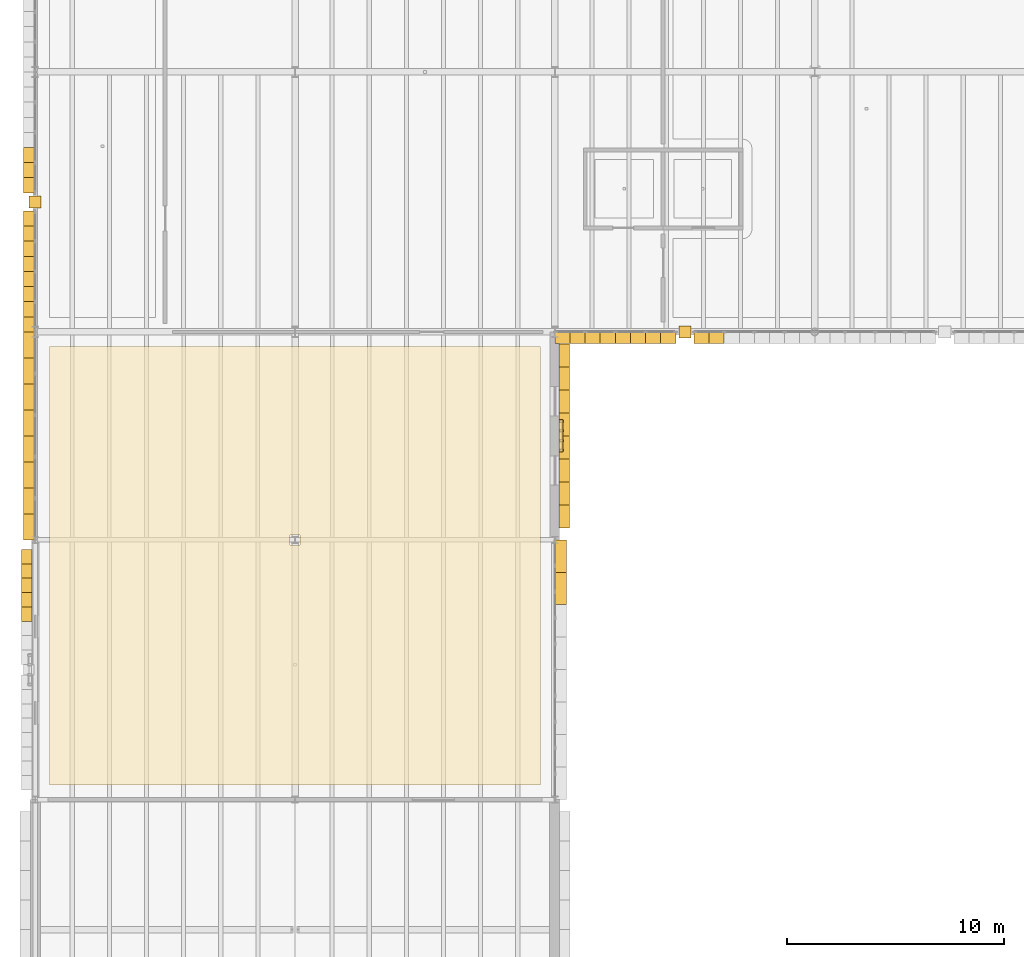
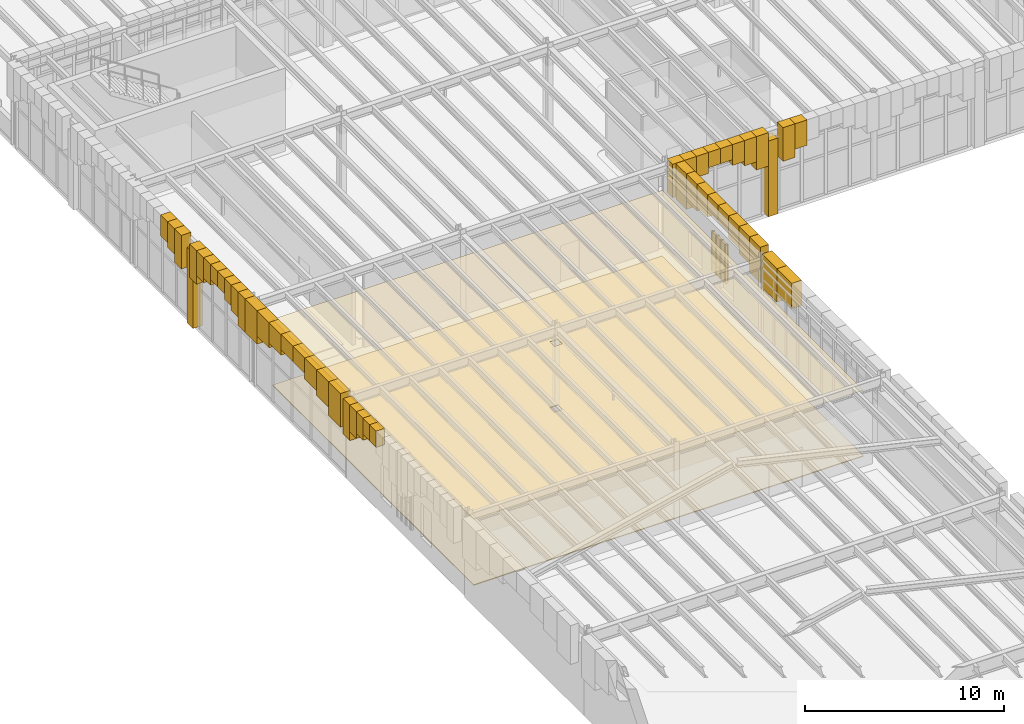
# One storey, part 77 of 100: 55 coverings, 1 shading device.
"""IFC4 building model written with IfcOpenShell, lengths in metres."""

from ifc_helpers import new_model, si_unit, direction, frame, origin, origin_2d, place, context, subcontext, project, spatial, polyline, rectangle, outline, extrude, material, layer, layer_set, type_object, element, save


model = new_model("IFC4")

# Units and contexts
model_context = context("Model", 3, precision=1e-05, world=origin(), true_north=direction((0.0, 1.0)))
body_context = subcontext(model_context, "Body", "Model", "MODEL_VIEW")
ifc_project = project(units=[si_unit("LENGTHUNIT", "METRE"), si_unit("AREAUNIT", "SQUARE_METRE"), si_unit("VOLUMEUNIT", "CUBIC_METRE"), si_unit("PLANEANGLEUNIT", "RADIAN"), si_unit("MASSUNIT", "GRAM", prefix="KILO")], contexts=[model_context])

# Site, building, storey
site_placement = place(None, origin())
site = spatial("IfcSite", under=ifc_project, at=site_placement, CompositionType="ELEMENT")
building_placement = place(site_placement, origin())
building = spatial("IfcBuilding", under=site, at=building_placement, Name="Zlatogorsky Bluff Art Gallery", CompositionType="ELEMENT")
storey_placement = place(building_placement, frame((0.0, 0.0, 5.39990234375)))
storey = spatial("IfcBuildingStorey", under=building, at=storey_placement, Name="L01", CompositionType="ELEMENT", Elevation=5.39990234375)

# Coverings
ifc_material_1 = material(Name="Perforated Gypsum Acoustic Board", Category="gypsum")
ifc_layer_1 = layer(ifc_material_1, 0.0400390625)
ifc_layer_set_1 = layer_set([ifc_layer_1], Name="Acoustic Gallery Ceiling CLG-01")
covering_type_1 = type_object("IfcCoveringType", Name="Acoustic Gallery Ceiling CLG-01", PredefinedType="CEILING", material=ifc_layer_set_1)
covering_1_placement = place(storey_placement, frame((0.0, 0.0, 4.050048828125)))
element("IfcCovering", 1, at=covering_1_placement, inside=storey, type_object=covering_type_1, Name="Learning Centre Seminar Rooms acoustic ceiling", PredefinedType="CEILING", context=body_context, shape_type="SweptSolid", body=[
    extrude(outline(polyline([(23.330078125, 83.330078125), (23.330078125, 63.070068359375), (0.669921875, 63.070068359375), (0.669921875, 83.330078125), (23.330078125, 83.330078125)]), holes=[polyline([(11.77001953125, 74.6298828125), (11.77001953125, 74.169921875), (12.22998046875, 74.169921875), (12.22998046875, 74.6298828125), (11.77001953125, 74.6298828125)])]), origin(), (0.0, 0.0, 1.0), 0.0400390625),
])
ifc_material_2 = material(Name="Honed Red Agra-Tone Quartzitic Sandstone", Category="masonry")
ifc_layer_2 = layer(ifc_material_2, 0.1201171875)
ifc_layer_set_2 = layer_set([ifc_layer_2], Name="Carved Sandstone Cladding CLD-02")
covering_type_2 = type_object("IfcCoveringType", Name="Carved Sandstone Cladding CLD-02", PredefinedType="CLADDING", material=ifc_layer_set_2)
covering_2_placement = place(storey_placement, frame((0.0, 0.0, 4.365478515625)))
element("IfcCovering", 2, at=covering_2_placement, inside=storey, type_object=covering_type_2, Name="Pointed Mughal arch voussoir spandrel WARCH-L01-W-00-06-B.4", PredefinedType="CLADDING", context=body_context, shape_type="SweptSolid", body=[
    extrude(outline(polyline([(-0.639892578125, 70.637451171875), (-0.639892578125, 71.300048828125), (-0.14990234375, 71.300048828125), (-0.14990234375, 70.637451171875), (-0.639892578125, 70.637451171875)])), origin(), (0.0, 0.0, 1.0), 0.99462890625),
])
covering_3_placement = place(storey_placement, frame((0.0, 0.0, 4.365478515625)))
element("IfcCovering", 3, at=covering_3_placement, inside=storey, type_object=covering_type_2, Name="Pointed Mughal arch voussoir spandrel WARCH-L01-W-00-06-B.5", PredefinedType="CLADDING", context=body_context, shape_type="SweptSolid", body=[
    extrude(outline(polyline([(-0.639892578125, 71.300048828125), (-0.639892578125, 71.96240234375), (-0.14990234375, 71.96240234375), (-0.14990234375, 71.300048828125), (-0.639892578125, 71.300048828125)])), origin(), (0.0, 0.0, 1.0), 0.99462890625),
])
covering_4_placement = place(storey_placement, frame((0.0, 0.0, 3.996826171875)))
element("IfcCovering", 4, at=covering_4_placement, inside=storey, type_object=covering_type_2, Name="Pointed Mughal arch voussoir spandrel WARCH-L01-W-00-06-B.6", PredefinedType="CLADDING", context=body_context, shape_type="SweptSolid", body=[
    extrude(outline(polyline([(-0.639892578125, 71.96240234375), (-0.639892578125, 72.625), (-0.14990234375, 72.625), (-0.14990234375, 71.96240234375), (-0.639892578125, 71.96240234375)])), origin(), (0.0, 0.0, 1.0), 1.36328125),
])
covering_5_placement = place(storey_placement, frame((0.0, 0.0, 3.703857421875)))
element("IfcCovering", 5, at=covering_5_placement, inside=storey, type_object=covering_type_2, Name="Pointed Mughal arch voussoir spandrel WARCH-L01-W-00-06-B.7", PredefinedType="CLADDING", context=body_context, shape_type="SweptSolid", body=[
    extrude(outline(polyline([(-0.639892578125, 72.625), (-0.639892578125, 73.28759765625), (-0.14990234375, 73.28759765625), (-0.14990234375, 72.625), (-0.639892578125, 72.625)])), origin(), (0.0, 0.0, 1.0), 1.65625),
])
covering_6_placement = place(storey_placement, frame((0.0, 0.0, 3.172607421875)))
element("IfcCovering", 6, at=covering_6_placement, inside=storey, type_object=covering_type_2, Name="Pointed Mughal arch voussoir spandrel WARCH-L01-W-00-06-B.8", PredefinedType="CLADDING", context=body_context, shape_type="SweptSolid", body=[
    extrude(outline(polyline([(-0.639892578125, 73.28759765625), (-0.639892578125, 73.949951171875), (-0.14990234375, 73.949951171875), (-0.14990234375, 73.28759765625), (-0.639892578125, 73.28759765625)])), origin(), (0.0, 0.0, 1.0), 2.1875),
])
covering_7_placement = place(storey_placement, frame((0.0, 0.0, 3.2978515625)))
element("IfcCovering", 7, at=covering_7_placement, inside=storey, type_object=covering_type_2, Name="Pointed Mughal arch voussoir spandrel ARCH-CW-L01-W-00-07.1", PredefinedType="CLADDING", context=body_context, shape_type="SweptSolid", body=[
    extrude(outline(polyline([(-0.5400390625, 74.39990234375), (-0.5400390625, 75.60009765625), (0.030029296875, 75.60009765625), (0.030029296875, 74.39990234375), (-0.5400390625, 74.39990234375)])), origin(), (0.0, 0.0, 1.0), 2.062255859375),
])
covering_8_placement = place(storey_placement, frame((0.0, 0.0, 3.7998046875)))
element("IfcCovering", 8, at=covering_8_placement, inside=storey, type_object=covering_type_2, Name="Pointed Mughal arch voussoir spandrel ARCH-CW-L01-W-00-07.2", PredefinedType="CLADDING", context=body_context, shape_type="SweptSolid", body=[
    extrude(outline(polyline([(-0.5400390625, 75.60009765625), (-0.5400390625, 76.800048828125), (0.030029296875, 76.800048828125), (0.030029296875, 75.60009765625), (-0.5400390625, 75.60009765625)])), origin(), (0.0, 0.0, 1.0), 1.560302734375),
])
covering_9_placement = place(storey_placement, frame((0.0, 0.0, 4.076416015625)))
element("IfcCovering", 9, at=covering_9_placement, inside=storey, type_object=covering_type_2, Name="Pointed Mughal arch voussoir spandrel ARCH-CW-L01-W-00-07.3", PredefinedType="CLADDING", context=body_context, shape_type="SweptSolid", body=[
    extrude(outline(polyline([(-0.5400390625, 76.800048828125), (-0.5400390625, 78.0), (0.030029296875, 78.0), (0.030029296875, 76.800048828125), (-0.5400390625, 76.800048828125)])), origin(), (0.0, 0.0, 1.0), 1.28369140625),
])
covering_10_placement = place(storey_placement, frame((0.0, 0.0, 4.424560546875)))
element("IfcCovering", 10, at=covering_10_placement, inside=storey, type_object=covering_type_2, Name="Pointed Mughal arch voussoir spandrel ARCH-CW-L01-W-00-07.4", PredefinedType="CLADDING", context=body_context, shape_type="SweptSolid", body=[
    extrude(outline(polyline([(-0.5400390625, 78.0), (-0.5400390625, 79.199951171875), (0.030029296875, 79.199951171875), (0.030029296875, 78.0), (-0.5400390625, 78.0)])), origin(), (0.0, 0.0, 1.0), 0.935546875),
])
covering_11_placement = place(storey_placement, frame((0.0, 0.0, 4.424560546875)))
element("IfcCovering", 11, at=covering_11_placement, inside=storey, type_object=covering_type_2, Name="Pointed Mughal arch voussoir spandrel ARCH-CW-L01-W-00-07.5", PredefinedType="CLADDING", context=body_context, shape_type="SweptSolid", body=[
    extrude(outline(polyline([(-0.5400390625, 79.199951171875), (-0.5400390625, 80.39990234375), (0.030029296875, 80.39990234375), (0.030029296875, 79.199951171875), (-0.5400390625, 79.199951171875)])), origin(), (0.0, 0.0, 1.0), 0.935546875),
])
covering_12_placement = place(storey_placement, frame((0.0, 0.0, 4.076416015625)))
element("IfcCovering", 12, at=covering_12_placement, inside=storey, type_object=covering_type_2, Name="Pointed Mughal arch voussoir spandrel ARCH-CW-L01-W-00-07.6", PredefinedType="CLADDING", context=body_context, shape_type="SweptSolid", body=[
    extrude(outline(polyline([(-0.5400390625, 80.39990234375), (-0.5400390625, 81.60009765625), (0.030029296875, 81.60009765625), (0.030029296875, 80.39990234375), (-0.5400390625, 80.39990234375)])), origin(), (0.0, 0.0, 1.0), 1.28369140625),
])
covering_13_placement = place(storey_placement, frame((0.0, 0.0, 3.7998046875)))
element("IfcCovering", 13, at=covering_13_placement, inside=storey, type_object=covering_type_2, Name="Pointed Mughal arch voussoir spandrel ARCH-CW-L01-W-00-07.7", PredefinedType="CLADDING", context=body_context, shape_type="SweptSolid", body=[
    extrude(outline(polyline([(-0.5400390625, 81.60009765625), (-0.5400390625, 82.800048828125), (0.030029296875, 82.800048828125), (0.030029296875, 81.60009765625), (-0.5400390625, 81.60009765625)])), origin(), (0.0, 0.0, 1.0), 1.560302734375),
])
covering_14_placement = place(storey_placement, frame((0.0, 0.0, 3.2978515625)))
element("IfcCovering", 14, at=covering_14_placement, inside=storey, type_object=covering_type_2, Name="Pointed Mughal arch voussoir spandrel ARCH-CW-L01-W-00-07.8", PredefinedType="CLADDING", context=body_context, shape_type="SweptSolid", body=[
    extrude(outline(polyline([(-0.5400390625, 82.800048828125), (-0.5400390625, 84.0), (0.030029296875, 84.0), (0.030029296875, 82.800048828125), (-0.5400390625, 82.800048828125)])), origin(), (0.0, 0.0, 1.0), 2.062255859375),
])
covering_15_placement = place(storey_placement, frame((0.0, 0.0, -0.02978515625)))
element("IfcCovering", 15, at=covering_15_placement, inside=storey, type_object=covering_type_2, Name="Mughal dalan central sandstone pier L01 W 0.8", PredefinedType="CLADDING", context=body_context, shape_type="SweptSolid", body=[
    extrude(outline(polyline([(-0.280029296875, 89.719970703125), (0.280029296875, 89.719970703125), (0.280029296875, 90.280029296875), (-0.280029296875, 90.280029296875), (-0.280029296875, 89.719970703125)])), origin(), (0.0, 0.0, 1.0), 4.659912109375),
])
covering_16_placement = place(storey_placement, frame((0.0, 0.0, 3.2978515625)))
element("IfcCovering", 16, at=covering_16_placement, inside=storey, type_object=covering_type_2, Name="Pointed Mughal arch voussoir spandrel ARCH-CW-L01-W-00-08-A.1", PredefinedType="CLADDING", context=body_context, shape_type="SweptSolid", body=[
    extrude(outline(polyline([(-0.5400390625, 90.419921875), (-0.5400390625, 91.117431640625), (0.030029296875, 91.117431640625), (0.030029296875, 90.419921875), (-0.5400390625, 90.419921875)])), origin(), (0.0, 0.0, 1.0), 2.062255859375),
])
covering_17_placement = place(storey_placement, frame((0.0, 0.0, 3.7998046875)))
element("IfcCovering", 17, at=covering_17_placement, inside=storey, type_object=covering_type_2, Name="Pointed Mughal arch voussoir spandrel ARCH-CW-L01-W-00-08-A.2", PredefinedType="CLADDING", context=body_context, shape_type="SweptSolid", body=[
    extrude(outline(polyline([(-0.5400390625, 91.117431640625), (-0.5400390625, 91.81494140625), (0.030029296875, 91.81494140625), (0.030029296875, 91.117431640625), (-0.5400390625, 91.117431640625)])), origin(), (0.0, 0.0, 1.0), 1.560302734375),
])
covering_18_placement = place(storey_placement, frame((0.0, 0.0, 4.076416015625)))
element("IfcCovering", 18, at=covering_18_placement, inside=storey, type_object=covering_type_2, Name="Pointed Mughal arch voussoir spandrel ARCH-CW-L01-W-00-08-A.3", PredefinedType="CLADDING", context=body_context, shape_type="SweptSolid", body=[
    extrude(outline(polyline([(-0.5400390625, 91.81494140625), (-0.5400390625, 92.512451171875), (0.030029296875, 92.512451171875), (0.030029296875, 91.81494140625), (-0.5400390625, 91.81494140625)])), origin(), (0.0, 0.0, 1.0), 1.28369140625),
])
covering_19_placement = place(storey_placement, frame((0.0, 0.0, 3.2978515625)))
element("IfcCovering", 19, at=covering_19_placement, inside=storey, type_object=covering_type_2, Name="Pointed Mughal arch voussoir spandrel ARCH-CW-L01-W-00-08-B.1", PredefinedType="CLADDING", context=body_context, shape_type="SweptSolid", body=[
    extrude(outline(polyline([(-0.5400390625, 84.0), (-0.5400390625, 84.697509765625), (0.030029296875, 84.697509765625), (0.030029296875, 84.0), (-0.5400390625, 84.0)])), origin(), (0.0, 0.0, 1.0), 2.062255859375),
])
covering_20_placement = place(storey_placement, frame((0.0, 0.0, 3.7998046875)))
element("IfcCovering", 20, at=covering_20_placement, inside=storey, type_object=covering_type_2, Name="Pointed Mughal arch voussoir spandrel ARCH-CW-L01-W-00-08-B.2", PredefinedType="CLADDING", context=body_context, shape_type="SweptSolid", body=[
    extrude(outline(polyline([(-0.5400390625, 84.697509765625), (-0.5400390625, 85.39501953125), (0.030029296875, 85.39501953125), (0.030029296875, 84.697509765625), (-0.5400390625, 84.697509765625)])), origin(), (0.0, 0.0, 1.0), 1.560302734375),
])
covering_21_placement = place(storey_placement, frame((0.0, 0.0, 4.076416015625)))
element("IfcCovering", 21, at=covering_21_placement, inside=storey, type_object=covering_type_2, Name="Pointed Mughal arch voussoir spandrel ARCH-CW-L01-W-00-08-B.3", PredefinedType="CLADDING", context=body_context, shape_type="SweptSolid", body=[
    extrude(outline(polyline([(-0.5400390625, 85.39501953125), (-0.5400390625, 86.092529296875), (0.030029296875, 86.092529296875), (0.030029296875, 85.39501953125), (-0.5400390625, 85.39501953125)])), origin(), (0.0, 0.0, 1.0), 1.28369140625),
])
covering_22_placement = place(storey_placement, frame((0.0, 0.0, 4.424560546875)))
element("IfcCovering", 22, at=covering_22_placement, inside=storey, type_object=covering_type_2, Name="Pointed Mughal arch voussoir spandrel ARCH-CW-L01-W-00-08-B.4", PredefinedType="CLADDING", context=body_context, shape_type="SweptSolid", body=[
    extrude(outline(polyline([(-0.5400390625, 86.092529296875), (-0.5400390625, 86.7900390625), (0.030029296875, 86.7900390625), (0.030029296875, 86.092529296875), (-0.5400390625, 86.092529296875)])), origin(), (0.0, 0.0, 1.0), 0.935546875),
])
covering_23_placement = place(storey_placement, frame((0.0, 0.0, 4.424560546875)))
element("IfcCovering", 23, at=covering_23_placement, inside=storey, type_object=covering_type_2, Name="Pointed Mughal arch voussoir spandrel ARCH-CW-L01-W-00-08-B.5", PredefinedType="CLADDING", context=body_context, shape_type="SweptSolid", body=[
    extrude(outline(polyline([(-0.5400390625, 86.7900390625), (-0.5400390625, 87.487548828125), (0.030029296875, 87.487548828125), (0.030029296875, 86.7900390625), (-0.5400390625, 86.7900390625)])), origin(), (0.0, 0.0, 1.0), 0.935546875),
])
covering_24_placement = place(storey_placement, frame((0.0, 0.0, 4.076416015625)))
element("IfcCovering", 24, at=covering_24_placement, inside=storey, type_object=covering_type_2, Name="Pointed Mughal arch voussoir spandrel ARCH-CW-L01-W-00-08-B.6", PredefinedType="CLADDING", context=body_context, shape_type="SweptSolid", body=[
    extrude(outline(polyline([(-0.5400390625, 87.487548828125), (-0.5400390625, 88.18505859375), (0.030029296875, 88.18505859375), (0.030029296875, 87.487548828125), (-0.5400390625, 87.487548828125)])), origin(), (0.0, 0.0, 1.0), 1.28369140625),
])
covering_25_placement = place(storey_placement, frame((0.0, 0.0, 3.7998046875)))
element("IfcCovering", 25, at=covering_25_placement, inside=storey, type_object=covering_type_2, Name="Pointed Mughal arch voussoir spandrel ARCH-CW-L01-W-00-08-B.7", PredefinedType="CLADDING", context=body_context, shape_type="SweptSolid", body=[
    extrude(outline(polyline([(-0.5400390625, 88.18505859375), (-0.5400390625, 88.882568359375), (0.030029296875, 88.882568359375), (0.030029296875, 88.18505859375), (-0.5400390625, 88.18505859375)])), origin(), (0.0, 0.0, 1.0), 1.560302734375),
])
covering_26_placement = place(storey_placement, frame((0.0, 0.0, 3.2978515625)))
element("IfcCovering", 26, at=covering_26_placement, inside=storey, type_object=covering_type_2, Name="Pointed Mughal arch voussoir spandrel ARCH-CW-L01-W-00-08-B.8", PredefinedType="CLADDING", context=body_context, shape_type="SweptSolid", body=[
    extrude(outline(polyline([(-0.5400390625, 88.882568359375), (-0.5400390625, 89.580078125), (0.030029296875, 89.580078125), (0.030029296875, 88.882568359375), (-0.5400390625, 88.882568359375)])), origin(), (0.0, 0.0, 1.0), 2.062255859375),
])
covering_27_placement = place(storey_placement, frame((0.0, 0.0, 3.7998046875)))
element("IfcCovering", 27, at=covering_27_placement, inside=storey, type_object=covering_type_2, Name="Pointed Mughal arch voussoir spandrel ARCH-CW-L01-E-01-06.7", PredefinedType="CLADDING", context=body_context, shape_type="SweptSolid", body=[
    extrude(outline(polyline([(23.969970703125, 71.39990234375), (23.969970703125, 72.89990234375), (24.5400390625, 72.89990234375), (24.5400390625, 71.39990234375), (23.969970703125, 71.39990234375)])), origin(), (0.0, 0.0, 1.0), 1.560302734375),
])
covering_28_placement = place(storey_placement, frame((0.0, 0.0, 3.2978515625)))
element("IfcCovering", 28, at=covering_28_placement, inside=storey, type_object=covering_type_2, Name="Pointed Mughal arch voussoir spandrel ARCH-CW-L01-E-01-06.8", PredefinedType="CLADDING", context=body_context, shape_type="SweptSolid", body=[
    extrude(outline(polyline([(23.969970703125, 72.89990234375), (23.969970703125, 74.39990234375), (24.5400390625, 74.39990234375), (24.5400390625, 72.89990234375), (23.969970703125, 72.89990234375)])), origin(), (0.0, 0.0, 1.0), 2.062255859375),
])
covering_29_placement = place(storey_placement, frame((0.0, 0.0, 3.172607421875)))
element("IfcCovering", 29, at=covering_29_placement, inside=storey, type_object=covering_type_2, Name="Pointed Mughal arch voussoir spandrel WARCH-L01-E-01-07-A.1", PredefinedType="CLADDING", context=body_context, shape_type="SweptSolid", body=[
    extrude(outline(polyline([(24.18994140625, 74.949951171875), (24.18994140625, 76.012451171875), (24.679931640625, 76.012451171875), (24.679931640625, 74.949951171875), (24.18994140625, 74.949951171875)])), origin(), (0.0, 0.0, 1.0), 2.1875),
])
covering_30_placement = place(storey_placement, frame((0.0, 0.0, 3.703857421875)))
element("IfcCovering", 30, at=covering_30_placement, inside=storey, type_object=covering_type_2, Name="Pointed Mughal arch voussoir spandrel WARCH-L01-E-01-07-A.2", PredefinedType="CLADDING", context=body_context, shape_type="SweptSolid", body=[
    extrude(outline(polyline([(24.18994140625, 76.012451171875), (24.18994140625, 77.074951171875), (24.679931640625, 77.074951171875), (24.679931640625, 76.012451171875), (24.18994140625, 76.012451171875)])), origin(), (0.0, 0.0, 1.0), 1.65625),
])
covering_31_placement = place(storey_placement, frame((0.0, 0.0, 3.996826171875)))
element("IfcCovering", 31, at=covering_31_placement, inside=storey, type_object=covering_type_2, Name="Pointed Mughal arch voussoir spandrel WARCH-L01-E-01-07-A.3", PredefinedType="CLADDING", context=body_context, shape_type="SweptSolid", body=[
    extrude(outline(polyline([(24.18994140625, 77.074951171875), (24.18994140625, 78.137451171875), (24.679931640625, 78.137451171875), (24.679931640625, 77.074951171875), (24.18994140625, 77.074951171875)])), origin(), (0.0, 0.0, 1.0), 1.36328125),
])
covering_32_placement = place(storey_placement, frame((0.0, 0.0, 4.365478515625)))
element("IfcCovering", 32, at=covering_32_placement, inside=storey, type_object=covering_type_2, Name="Pointed Mughal arch voussoir spandrel WARCH-L01-E-01-07-A.4", PredefinedType="CLADDING", context=body_context, shape_type="SweptSolid", body=[
    extrude(outline(polyline([(24.18994140625, 78.137451171875), (24.18994140625, 79.199951171875), (24.679931640625, 79.199951171875), (24.679931640625, 78.137451171875), (24.18994140625, 78.137451171875)])), origin(), (0.0, 0.0, 1.0), 0.99462890625),
])
covering_33_placement = place(storey_placement, frame((0.0, 0.0, 4.365478515625)))
element("IfcCovering", 33, at=covering_33_placement, inside=storey, type_object=covering_type_2, Name="Pointed Mughal arch voussoir spandrel WARCH-L01-E-01-07-A.5", PredefinedType="CLADDING", context=body_context, shape_type="SweptSolid", body=[
    extrude(outline(polyline([(24.18994140625, 79.199951171875), (24.18994140625, 80.262451171875), (24.679931640625, 80.262451171875), (24.679931640625, 79.199951171875), (24.18994140625, 79.199951171875)])), origin(), (0.0, 0.0, 1.0), 0.99462890625),
])
covering_34_placement = place(storey_placement, frame((0.0, 0.0, 3.996826171875)))
element("IfcCovering", 34, at=covering_34_placement, inside=storey, type_object=covering_type_2, Name="Pointed Mughal arch voussoir spandrel WARCH-L01-E-01-07-A.6", PredefinedType="CLADDING", context=body_context, shape_type="SweptSolid", body=[
    extrude(outline(polyline([(24.18994140625, 80.262451171875), (24.18994140625, 81.324951171875), (24.679931640625, 81.324951171875), (24.679931640625, 80.262451171875), (24.18994140625, 80.262451171875)])), origin(), (0.0, 0.0, 1.0), 1.36328125),
])
covering_35_placement = place(storey_placement, frame((0.0, 0.0, 3.703857421875)))
element("IfcCovering", 35, at=covering_35_placement, inside=storey, type_object=covering_type_2, Name="Pointed Mughal arch voussoir spandrel WARCH-L01-E-01-07-A.7", PredefinedType="CLADDING", context=body_context, shape_type="SweptSolid", body=[
    extrude(outline(polyline([(24.18994140625, 81.324951171875), (24.18994140625, 82.387451171875), (24.679931640625, 82.387451171875), (24.679931640625, 81.324951171875), (24.18994140625, 81.324951171875)])), origin(), (0.0, 0.0, 1.0), 1.65625),
])
covering_36_placement = place(storey_placement, frame((0.0, 0.0, 3.172607421875)))
element("IfcCovering", 36, at=covering_36_placement, inside=storey, type_object=covering_type_2, Name="Pointed Mughal arch voussoir spandrel WARCH-L01-E-01-07-A.8", PredefinedType="CLADDING", context=body_context, shape_type="SweptSolid", body=[
    extrude(outline(polyline([(24.18994140625, 82.387451171875), (24.18994140625, 83.449951171875), (24.679931640625, 83.449951171875), (24.679931640625, 82.387451171875), (24.18994140625, 82.387451171875)])), origin(), (0.0, 0.0, 1.0), 2.1875),
])
covering_37_placement = place(storey_placement, frame((0.0, 0.0, 0.9501953125)))
element("IfcCovering", 37, at=covering_37_placement, inside=storey, type_object=covering_type_2, Name="Pierced sandstone jali lattice bar L01.E.1.7", PredefinedType="CLADDING", context=body_context, shape_type="SweptSolid", body=[
    extrude(outline(polyline([(24.18994140625, 78.47998046875), (24.18994140625, 78.570068359375), (24.3798828125, 78.570068359375), (24.3798828125, 78.47998046875), (24.18994140625, 78.47998046875)])), origin(), (0.0, 0.0, 1.0), 2.39990234375),
])
covering_38_placement = place(storey_placement, frame((0.0, 0.0, 0.9501953125)))
element("IfcCovering", 38, at=covering_38_placement, inside=storey, type_object=covering_type_2, Name="Pierced sandstone jali lattice bar L01.E.1.7", PredefinedType="CLADDING", context=body_context, shape_type="SweptSolid", body=[
    extrude(outline(polyline([(24.18994140625, 78.929931640625), (24.18994140625, 79.02001953125), (24.3798828125, 79.02001953125), (24.3798828125, 78.929931640625), (24.18994140625, 78.929931640625)])), origin(), (0.0, 0.0, 1.0), 2.39990234375),
])
covering_39_placement = place(storey_placement, frame((0.0, 0.0, 0.9501953125)))
element("IfcCovering", 39, at=covering_39_placement, inside=storey, type_object=covering_type_2, Name="Pierced sandstone jali lattice bar L01.E.1.7", PredefinedType="CLADDING", context=body_context, shape_type="SweptSolid", body=[
    extrude(outline(polyline([(24.18994140625, 79.3798828125), (24.18994140625, 79.469970703125), (24.3798828125, 79.469970703125), (24.3798828125, 79.3798828125), (24.18994140625, 79.3798828125)])), origin(), (0.0, 0.0, 1.0), 2.39990234375),
])
covering_40_placement = place(storey_placement, frame((0.0, 0.0, 0.9501953125)))
element("IfcCovering", 40, at=covering_40_placement, inside=storey, type_object=covering_type_2, Name="Pierced sandstone jali lattice bar L01.E.1.7", PredefinedType="CLADDING", context=body_context, shape_type="SweptSolid", body=[
    extrude(outline(polyline([(24.18994140625, 79.830078125), (24.18994140625, 79.919921875), (24.3798828125, 79.919921875), (24.3798828125, 79.830078125), (24.18994140625, 79.830078125)])), origin(), (0.0, 0.0, 1.0), 2.39990234375),
])
for number, where, name in (
    (41, (0.0, 0.0, 1.510009765625), "Pierced sandstone jali lattice transom L01.E.1.7"),
    (42, (0.0, 0.0, 2.110107421875), "Pierced sandstone jali lattice transom L01.E.1.7"),
):
    element("IfcCovering", number, at=place(storey_placement, frame(where)), inside=storey, type_object=covering_type_2, Name=name, PredefinedType="CLADDING", context=body_context, shape_type="SweptSolid", body=[
        extrude(outline(polyline([(24.18994140625, 78.449951171875), (24.18994140625, 79.949951171875), (24.3798828125, 79.949951171875), (24.3798828125, 78.449951171875), (24.18994140625, 78.449951171875)])), origin(), (0.0, 0.0, 1.0), 0.080078125),
    ])
covering_41_placement = place(storey_placement, frame((0.0, 0.0, 2.710205078125)))
element("IfcCovering", 43, at=covering_41_placement, inside=storey, type_object=covering_type_2, Name="Pierced sandstone jali lattice transom L01.E.1.7", PredefinedType="CLADDING", context=body_context, shape_type="SweptSolid", body=[
    extrude(outline(polyline([(24.18994140625, 78.449951171875), (24.18994140625, 79.949951171875), (24.3798828125, 79.949951171875), (24.3798828125, 78.449951171875), (24.18994140625, 78.449951171875)])), origin(), (0.0, 0.0, 1.0), 0.079833984375),
])
covering_42_placement = place(storey_placement, frame((0.0, 0.0, -0.02978515625)))
element("IfcCovering", 44, at=covering_42_placement, inside=storey, type_object=covering_type_2, Name="Mughal dalan central sandstone pier L01 S 2.8", PredefinedType="CLADDING", context=body_context, shape_type="SweptSolid", body=[
    extrude(outline(polyline([(29.719970703125, 83.719970703125), (30.280029296875, 83.719970703125), (30.280029296875, 84.280029296875), (29.719970703125, 84.280029296875), (29.719970703125, 83.719970703125)])), origin(), (0.0, 0.0, 1.0), 4.659912109375),
])
covering_43_placement = place(storey_placement, frame((0.0, 0.0, 3.2978515625)))
element("IfcCovering", 45, at=covering_43_placement, inside=storey, type_object=covering_type_2, Name="Pointed Mughal arch voussoir spandrel ARCH-CW-L01-S-02-08-A.1", PredefinedType="CLADDING", context=body_context, shape_type="SweptSolid", body=[
    extrude(outline(polyline([(24.0, 83.4599609375), (24.697509765625, 83.4599609375), (24.697509765625, 84.030029296875), (24.0, 84.030029296875), (24.0, 83.4599609375)])), origin(), (0.0, 0.0, 1.0), 2.062255859375),
])
covering_44_placement = place(storey_placement, frame((0.0, 0.0, 3.7998046875)))
element("IfcCovering", 46, at=covering_44_placement, inside=storey, type_object=covering_type_2, Name="Pointed Mughal arch voussoir spandrel ARCH-CW-L01-S-02-08-A.2", PredefinedType="CLADDING", context=body_context, shape_type="SweptSolid", body=[
    extrude(outline(polyline([(24.697509765625, 83.4599609375), (25.39501953125, 83.4599609375), (25.39501953125, 84.030029296875), (24.697509765625, 84.030029296875), (24.697509765625, 83.4599609375)])), origin(), (0.0, 0.0, 1.0), 1.560302734375),
])
covering_45_placement = place(storey_placement, frame((0.0, 0.0, 4.076416015625)))
element("IfcCovering", 47, at=covering_45_placement, inside=storey, type_object=covering_type_2, Name="Pointed Mughal arch voussoir spandrel ARCH-CW-L01-S-02-08-A.3", PredefinedType="CLADDING", context=body_context, shape_type="SweptSolid", body=[
    extrude(outline(polyline([(25.39501953125, 83.4599609375), (26.092529296875, 83.4599609375), (26.092529296875, 84.030029296875), (25.39501953125, 84.030029296875), (25.39501953125, 83.4599609375)])), origin(), (0.0, 0.0, 1.0), 1.28369140625),
])
covering_46_placement = place(storey_placement, frame((0.0, 0.0, 4.424560546875)))
element("IfcCovering", 48, at=covering_46_placement, inside=storey, type_object=covering_type_2, Name="Pointed Mughal arch voussoir spandrel ARCH-CW-L01-S-02-08-A.4", PredefinedType="CLADDING", context=body_context, shape_type="SweptSolid", body=[
    extrude(outline(polyline([(26.092529296875, 83.4599609375), (26.7900390625, 83.4599609375), (26.7900390625, 84.030029296875), (26.092529296875, 84.030029296875), (26.092529296875, 83.4599609375)])), origin(), (0.0, 0.0, 1.0), 0.935546875),
])
covering_47_placement = place(storey_placement, frame((0.0, 0.0, 4.424560546875)))
element("IfcCovering", 49, at=covering_47_placement, inside=storey, type_object=covering_type_2, Name="Pointed Mughal arch voussoir spandrel ARCH-CW-L01-S-02-08-A.5", PredefinedType="CLADDING", context=body_context, shape_type="SweptSolid", body=[
    extrude(outline(polyline([(26.7900390625, 83.4599609375), (27.487548828125, 83.4599609375), (27.487548828125, 84.030029296875), (26.7900390625, 84.030029296875), (26.7900390625, 83.4599609375)])), origin(), (0.0, 0.0, 1.0), 0.935546875),
])
covering_48_placement = place(storey_placement, frame((0.0, 0.0, 4.076416015625)))
element("IfcCovering", 50, at=covering_48_placement, inside=storey, type_object=covering_type_2, Name="Pointed Mughal arch voussoir spandrel ARCH-CW-L01-S-02-08-A.6", PredefinedType="CLADDING", context=body_context, shape_type="SweptSolid", body=[
    extrude(outline(polyline([(27.487548828125, 83.4599609375), (28.18505859375, 83.4599609375), (28.18505859375, 84.030029296875), (27.487548828125, 84.030029296875), (27.487548828125, 83.4599609375)])), origin(), (0.0, 0.0, 1.0), 1.28369140625),
])
covering_49_placement = place(storey_placement, frame((0.0, 0.0, 3.7998046875)))
element("IfcCovering", 51, at=covering_49_placement, inside=storey, type_object=covering_type_2, Name="Pointed Mughal arch voussoir spandrel ARCH-CW-L01-S-02-08-A.7", PredefinedType="CLADDING", context=body_context, shape_type="SweptSolid", body=[
    extrude(outline(polyline([(28.18505859375, 83.4599609375), (28.882568359375, 83.4599609375), (28.882568359375, 84.030029296875), (28.18505859375, 84.030029296875), (28.18505859375, 83.4599609375)])), origin(), (0.0, 0.0, 1.0), 1.560302734375),
])
covering_50_placement = place(storey_placement, frame((0.0, 0.0, 3.2978515625)))
element("IfcCovering", 52, at=covering_50_placement, inside=storey, type_object=covering_type_2, Name="Pointed Mughal arch voussoir spandrel ARCH-CW-L01-S-02-08-A.8", PredefinedType="CLADDING", context=body_context, shape_type="SweptSolid", body=[
    extrude(outline(polyline([(28.882568359375, 83.4599609375), (29.580078125, 83.4599609375), (29.580078125, 84.030029296875), (28.882568359375, 84.030029296875), (28.882568359375, 83.4599609375)])), origin(), (0.0, 0.0, 1.0), 2.062255859375),
])
covering_51_placement = place(storey_placement, frame((0.0, 0.0, 3.2978515625)))
element("IfcCovering", 53, at=covering_51_placement, inside=storey, type_object=covering_type_2, Name="Pointed Mughal arch voussoir spandrel ARCH-CW-L01-S-02-08-B.1", PredefinedType="CLADDING", context=body_context, shape_type="SweptSolid", body=[
    extrude(outline(polyline([(30.419921875, 83.4599609375), (31.117431640625, 83.4599609375), (31.117431640625, 84.030029296875), (30.419921875, 84.030029296875), (30.419921875, 83.4599609375)])), origin(), (0.0, 0.0, 1.0), 2.062255859375),
])
covering_52_placement = place(storey_placement, frame((0.0, 0.0, 3.7998046875)))
element("IfcCovering", 54, at=covering_52_placement, inside=storey, type_object=covering_type_2, Name="Pointed Mughal arch voussoir spandrel ARCH-CW-L01-S-02-08-B.2", PredefinedType="CLADDING", context=body_context, shape_type="SweptSolid", body=[
    extrude(outline(polyline([(31.117431640625, 83.4599609375), (31.81494140625, 83.4599609375), (31.81494140625, 84.030029296875), (31.117431640625, 84.030029296875), (31.117431640625, 83.4599609375)])), origin(), (0.0, 0.0, 1.0), 1.560302734375),
])

# Shading device
ifc_material_3 = material(Name="CNC-Pierced Red Quartzitic Sandstone Jali", Category="masonry")
shading_device_type = type_object("IfcShadingDeviceType", Name="Pierced Stone Jali Screen JAL-01", PredefinedType="JALOUSIE", material=ifc_material_3)
shading_device_placement = place(storey_placement, frame((24.260009765625, 79.199951171875, 0.9501953125), z_axis=(0.0, 0.0, 1.0), x_axis=(1.0, 0.0, 0.0)))
element("IfcShadingDevice", 55, at=shading_device_placement, inside=storey, type_object=shading_device_type, Name="Pierced stone jali screen JAL-01", PredefinedType="JALOUSIE", context=body_context, shape_type="SweptSolid", body=[
    extrude(rectangle(XDim=0.1201171875, YDim=1.5, at=origin_2d()), origin(), (0.0, 0.0, 1.0), 2.39990234375),
])

# Covering
ifc_material_4 = material(Name="Polished Ural Marble Terrazzo", Category="masonry")
ifc_layer_3 = layer(ifc_material_4, 0.050048828125)
ifc_layer_set_3 = layer_set([ifc_layer_3], Name="Terrazzo Gallery Flooring FLR-01")
covering_type_3 = type_object("IfcCoveringType", Name="Terrazzo Gallery Flooring FLR-01", PredefinedType="FLOORING", material=ifc_layer_set_3)
covering_53_placement = place(storey_placement, origin())
element("IfcCovering", 56, at=covering_53_placement, inside=storey, type_object=covering_type_3, Name="Learning Centre Seminar Rooms terrazzo floor finish", PredefinedType="FLOORING", context=body_context, shape_type="SweptSolid", body=[
    extrude(outline(polyline([(23.330078125, 83.330078125), (23.330078125, 63.070068359375), (0.669921875, 63.070068359375), (0.669921875, 83.330078125), (23.330078125, 83.330078125)]), holes=[polyline([(11.77001953125, 74.6298828125), (11.77001953125, 74.169921875), (12.22998046875, 74.169921875), (12.22998046875, 74.6298828125), (11.77001953125, 74.6298828125)])]), origin(), (0.0, 0.0, 1.0), 0.050048828125),
])

save(model, "model.ifc")
